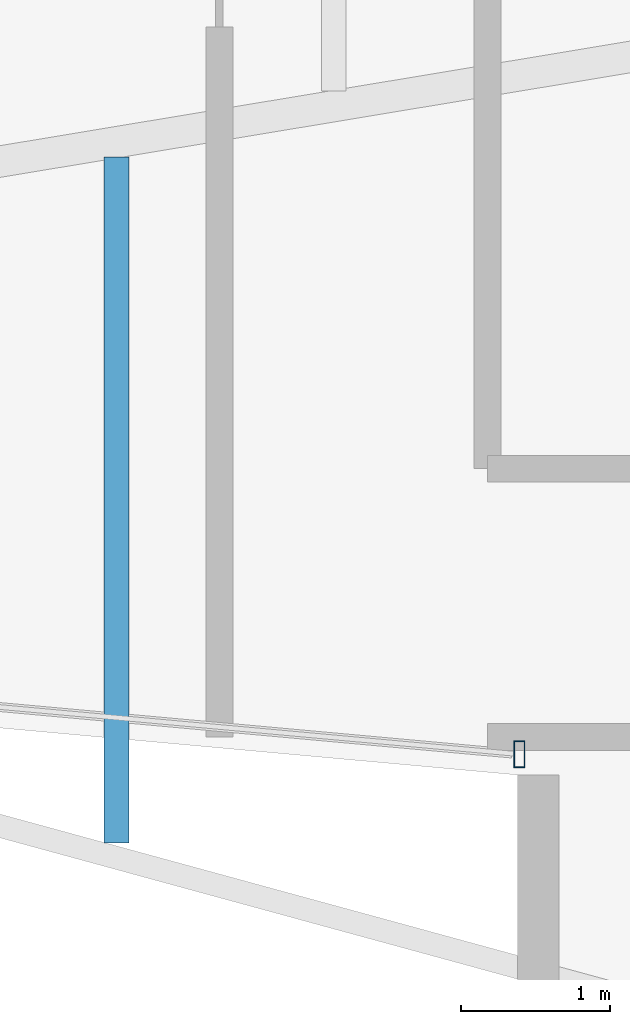
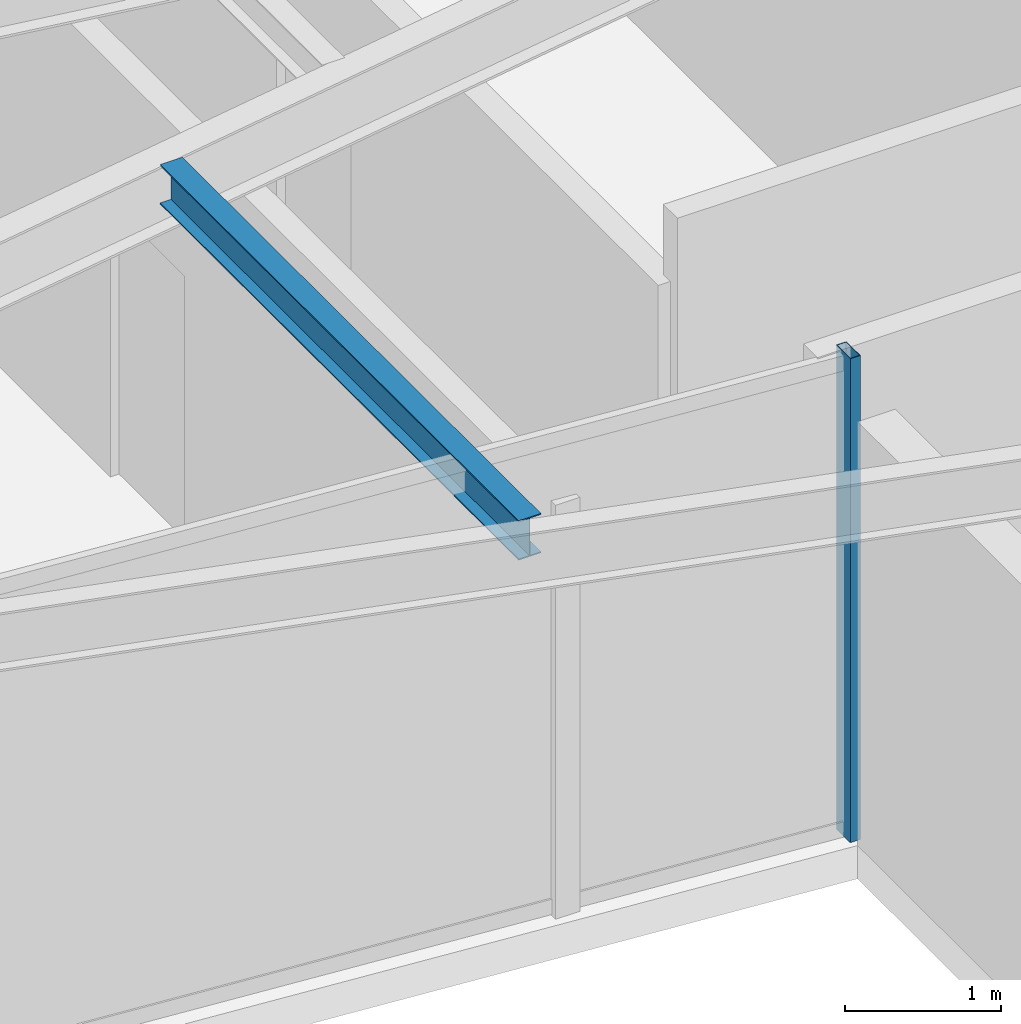
# One storey, part 4 of 23: 1 beam, 1 member, 1 element without a shape of its own.
"""IFC4 building model written with IfcOpenShell, lengths in metres."""

import ifcopenshell
import ifcopenshell.guid

model = None  # the IFC model being written
_history = None  # IfcOwnerHistory: only IFC2X3 demands one
_inside = {}  # id of a spatial element -> (the spatial element, [elements in it])
_under = {}  # id of a project, library or spatial element -> (it, [spatial elements below it])
_declared = {}  # id of a project -> (the project, [libraries it declares])
_typed = {}  # id of a type object -> (the type object, [elements of that type])
_made_of = {}  # id of a material, layer set ... -> (it, [elements and type objects made of it])


def new_model(schema):
    """Start an empty IFC model of exactly this schema.

    Asked for "IFC4X3", IfcOpenShell would pick the latest addendum, in which some entities
    have other attributes; the version numbers below select the first issue.
    IFC2X3 requires an IfcOwnerHistory on every rooted entity: one is made here for all.
    """
    global model, _history
    if schema == "IFC4X3":
        model = ifcopenshell.file(schema_version=(4, 3, 0, 0))
    else:
        model = ifcopenshell.file(schema=schema)
    _inside.clear()
    _under.clear()
    _declared.clear()
    _typed.clear()
    _made_of.clear()
    _history = None
    if model.schema == "IFC2X3":
        org = make("IfcOrganization", Name="unknown")
        user = make(
            "IfcPersonAndOrganization",
            ThePerson=make("IfcPerson", FamilyName="unknown"),
            TheOrganization=org,
        )
        app = make(
            "IfcApplication",
            ApplicationDeveloper=org,
            Version="unknown",
            ApplicationFullName="unknown",
            ApplicationIdentifier="unknown",
        )
        _history = make(
            "IfcOwnerHistory",
            OwningUser=user,
            OwningApplication=app,
            ChangeAction="ADDED",
            CreationDate=0,
        )
    return model


def make(cls, **values):
    """One entity of the class cls with the attributes given. An attribute that is None is left unset."""
    return model.create_entity(
        cls, **{name: value for name, value in values.items() if value is not None}
    )


def rooted(cls, **values):
    """An entity with a GlobalId (a new one), such as an element, a storey or a relation."""
    return make(cls, GlobalId=ifcopenshell.guid.new(), OwnerHistory=_history, **values)


def si_unit(unit_type, name, prefix=None):
    """IfcSIUnit, for example si_unit("LENGTHUNIT", "METRE", prefix="MILLI")."""
    return make("IfcSIUnit", UnitType=unit_type, Prefix=prefix, Name=name)


def assignment(units):
    """IfcUnitAssignment: the units of a project."""
    return None if units is None else make("IfcUnitAssignment", Units=units)


def point(xyz):
    """IfcCartesianPoint."""
    return None if xyz is None else make("IfcCartesianPoint", Coordinates=xyz)


def direction(xyz):
    """IfcDirection."""
    return None if xyz is None else make("IfcDirection", DirectionRatios=xyz)


def frame(location, z_axis=None, x_axis=None):
    """IfcAxis2Placement3D, a coordinate frame: its origin and axes. An axis left out is left unset."""
    return make(
        "IfcAxis2Placement3D",
        Location=point(location),
        Axis=direction(z_axis),
        RefDirection=direction(x_axis),
    )


def frame_2d(location, x_axis=None):
    """IfcAxis2Placement2D, a coordinate frame in the plane: its origin and x axis."""
    return make(
        "IfcAxis2Placement2D", Location=point(location), RefDirection=direction(x_axis)
    )


def origin():
    """The frame at (0, 0, 0) with its axes left unset."""
    return frame((0.0, 0.0, 0.0))


def origin_2d():
    """The frame at (0, 0) in the plane with its x axis left unset."""
    return frame_2d((0.0, 0.0))


def place(relative_to, where):
    """IfcLocalPlacement: puts the frame where relative to a parent placement (None: the world)."""
    return make(
        "IfcLocalPlacement", PlacementRelTo=relative_to, RelativePlacement=where
    )


def context(
    kind, dimensions, precision=None, world=None, true_north=None, identifier=None
):
    """IfcGeometricRepresentationContext, for example the 3D "Model" context."""
    return make(
        "IfcGeometricRepresentationContext",
        ContextIdentifier=identifier,
        ContextType=kind,
        CoordinateSpaceDimension=dimensions,
        Precision=precision,
        WorldCoordinateSystem=world,
        TrueNorth=true_north,
    )


def subcontext(parent, identifier, kind, view, scale=None):
    """IfcGeometricRepresentationSubContext, for example "Body" below "Model"."""
    return make(
        "IfcGeometricRepresentationSubContext",
        ContextIdentifier=identifier,
        ContextType=kind,
        ParentContext=parent,
        TargetScale=scale,
        TargetView=view,
    )


def project(units=None, contexts=None):
    """IfcProject with its units and contexts."""
    return rooted(
        "IfcProject",
        Name="project",
        RepresentationContexts=contexts,
        UnitsInContext=assignment(units),
    )


def spatial(cls, under=None, at=None, **own):
    """A site, building, storey or space (cls), placed at a placement, below another one or the project."""
    s = rooted(cls, ObjectPlacement=at, **own)
    if under is not None:
        _under.setdefault(under.id(), (under, []))[1].append(s)
    return s


def profile(cls, at=None, kind="AREA", **sizes):
    """A parametric profile (cls). Its sizes go by their IFC names, for example OverallWidth=200.0."""
    return make(cls, ProfileType=kind, Position=at, **sizes)


def hollow_rectangle(**sizes):
    """IfcRectangleHollowProfileDef."""
    return profile("IfcRectangleHollowProfileDef", **sizes)


def i_section(**sizes):
    """IfcIShapeProfileDef."""
    return profile("IfcIShapeProfileDef", **sizes)


def extrude(swept, where, along, depth):
    """IfcExtrudedAreaSolid: the profile swept, set in the frame where, extruded along a direction by depth."""
    return make(
        "IfcExtrudedAreaSolid",
        SweptArea=swept,
        Position=where,
        ExtrudedDirection=direction(along),
        Depth=depth,
    )


def shape(context_of_items, identifier, shape_type, items):
    """IfcShapeRepresentation: the items that make up one representation, for example the "Body"."""
    return make(
        "IfcShapeRepresentation",
        ContextOfItems=context_of_items,
        RepresentationIdentifier=identifier,
        RepresentationType=shape_type,
        Items=items,
    )


def material(Name=None, Category=None):
    """IfcMaterial."""
    return make("IfcMaterial", Name=Name, Category=Category)


def layer(
    of_material, thickness, ventilated=None, Name=None, Category=None, Priority=None
):
    """IfcMaterialLayer: one layer of a wall or slab, of a material (None: an air gap)."""
    return make(
        "IfcMaterialLayer",
        Material=of_material,
        LayerThickness=thickness,
        IsVentilated=ventilated,
        Name=Name,
        Category=Category,
        Priority=Priority,
    )


def layer_set(layers, Name=None):
    """IfcMaterialLayerSet."""
    return make("IfcMaterialLayerSet", MaterialLayers=layers, LayerSetName=Name)


def material_profile(
    of_material, cross_section, Name=None, Category=None, Priority=None
):
    """IfcMaterialProfile: a cross section and its material."""
    return make(
        "IfcMaterialProfile",
        Name=Name,
        Material=of_material,
        Profile=cross_section,
        Priority=Priority,
        Category=Category,
    )


def profile_set(profiles, Name=None, composite=None):
    """IfcMaterialProfileSet."""
    return make(
        "IfcMaterialProfileSet",
        Name=Name,
        MaterialProfiles=profiles,
        CompositeProfile=composite,
    )


def made_of(thing, what):
    """Note that an element or type object is made of a material, layer set ...; save() writes the relation."""
    if what is not None:
        _made_of.setdefault(what.id(), (what, []))[1].append(thing)
    return thing


def type_object(cls, material=None, **own):
    """A type object (cls), such as IfcWallType, which elements share."""
    return made_of(rooted(cls, **own), material)


def element(
    cls,
    number,
    at=None,
    inside=None,
    cuts=None,
    type_object=None,
    material=None,
    context=None,
    identifier="Body",
    shape_type=None,
    held_by="IfcProductDefinitionShape",
    body=None,
    shapes=None,
    **own,
):
    """One element of the class cls, such as IfcWall. Its Tag is "e" and its number.

    at: its placement. inside: the storey or other place that contains it. cuts: it is an
    opening in that element (IfcRelVoidsElement). A single representation is given by context,
    identifier, shape_type and body (its items); several are given by shapes. held_by: the class
    of the entity that holds the representations. save() writes the other relations.
    """
    e = rooted(cls, Tag="e%d" % number, ObjectPlacement=at, **own)
    if body is not None:
        shapes = [shape(context, identifier, shape_type, body)]
    if shapes is not None:
        e.Representation = make(held_by, Representations=shapes)
    if inside is not None:
        _inside.setdefault(inside.id(), (inside, []))[1].append(e)
    if cuts is not None:
        rooted(
            "IfcRelVoidsElement", RelatingBuildingElement=cuts, RelatedOpeningElement=e
        )
    if type_object is not None:
        _typed.setdefault(type_object.id(), (type_object, []))[1].append(e)
    return made_of(e, material)


def aggregate(whole, parts):
    """IfcRelAggregates: a whole, such as a stair, and the parts it consists of."""
    return rooted("IfcRelAggregates", RelatingObject=whole, RelatedObjects=parts)


def save(model, path):
    """Write the relations noted so far, then the file.

    IfcRelAggregates (storeys below a building ...), IfcRelContainedInSpatialStructure (elements
    in a storey), IfcRelDefinesByType, IfcRelAssociatesMaterial and IfcRelDeclares: one each for
    every whole, place, type object, material and project.
    """
    for whole, parts in _under.values():
        aggregate(whole, parts)
    for where, things in _inside.values():
        rooted(
            "IfcRelContainedInSpatialStructure",
            RelatedElements=things,
            RelatingStructure=where,
        )
    for kind, things in _typed.values():
        rooted("IfcRelDefinesByType", RelatedObjects=things, RelatingType=kind)
    for what, things in _made_of.values():
        rooted("IfcRelAssociatesMaterial", RelatedObjects=things, RelatingMaterial=what)
    for by, libraries in _declared.values():
        rooted("IfcRelDeclares", RelatingContext=by, RelatedDefinitions=libraries)
    model.write(path)


model = new_model("IFC4")

# Units and contexts
model_context = context("Model", 3, precision=1e-05, world=origin(), true_north=direction((0.0, 1.0)))
body_context = subcontext(model_context, "Body", "Model", "MODEL_VIEW")
ifc_project = project(units=[si_unit("LENGTHUNIT", "METRE"), si_unit("AREAUNIT", "SQUARE_METRE"), si_unit("VOLUMEUNIT", "CUBIC_METRE"), si_unit("PLANEANGLEUNIT", "RADIAN"), si_unit("MASSUNIT", "GRAM", prefix="KILO")], contexts=[model_context])

# Site, building, storey
site_placement = place(None, origin())
site = spatial("IfcSite", under=ifc_project, at=site_placement, CompositionType="ELEMENT")
building_placement = place(site_placement, origin())
building = spatial("IfcBuilding", under=site, at=building_placement, Name="Veymaron Broadcast Tower", CompositionType="ELEMENT")
storey_placement = place(building_placement, frame((0.0, 0.0, 195.89990234375)))
storey = spatial("IfcBuildingStorey", under=building, at=storey_placement, Name="L45", CompositionType="ELEMENT", Elevation=195.89990234375)

# Beam
ifc_material_1 = material(Name="Structural steel ASTM A992 Gr 50", Category="steel")
ifc_material_profile_1 = material_profile(ifc_material_1, i_section(OverallWidth=0.1650390625, OverallDepth=0.31005859375, WebThickness=0.005859375, FlangeThickness=0.009765625, at=origin_2d()), Name="W310X39")
ifc_profile_set_1 = profile_set([ifc_material_profile_1], Name="Structural steel ASTM A992 Gr 50")
beam_type = type_object("IfcBeamType", Name="BM-JS3", PredefinedType="JOIST", material=ifc_profile_set_1)
beam_placement = place(storey_placement, frame((23.909912109375, 18.090087890625, 3.635009765625), z_axis=(0.0, 1.0, 0.0), x_axis=(-1.0, 0.0, 0.0)))
element("IfcBeam", 1, at=beam_placement, inside=storey, type_object=beam_type, Name="L45 Arm-A secondary joist 2S", PredefinedType="JOIST", context=body_context, shape_type="SweptSolid", body=[
    extrude(i_section(OverallWidth=0.1650390625, OverallDepth=0.31005859375, WebThickness=0.005859375, FlangeThickness=0.009765625, at=origin_2d()), origin(), (0.0, 0.0, 1.0), 4.599853515625),
])

# Curtain wall, member
ifc_material_2 = material(Name="Anodised aluminium AA 6063-T6 and laminated low-E dark glass", Category="aluminium")
ifc_layer = layer(ifc_material_2, 0.179931640625)
ifc_layer_set = layer_set([ifc_layer], Name="Anodised aluminium AA 6063-T6 and laminated low-E dark glass")
curtain_wall_type = type_object("IfcCurtainWallType", Name="CW-SYS-05", PredefinedType="NOTDEFINED", material=ifc_layer_set)
curtain_wall_placement = place(storey_placement, origin())
curtain_wall = element("IfcCurtainWall", 2, at=curtain_wall_placement, inside=storey, type_object=curtain_wall_type, Name="L45 dark-glass curtain wall CW-L45-E14-1", PredefinedType="NOTDEFINED")
ifc_material_3 = material(Name="Anodised aluminium AA 6063-T6", Category="aluminium")
ifc_material_profile_2 = material_profile(ifc_material_3, hollow_rectangle(XDim=0.074951171875, YDim=0.179931640625, WallThickness=0.0048828125, at=origin_2d()), Name="AL180X75X5")
ifc_profile_set_2 = profile_set([ifc_material_profile_2], Name="Anodised aluminium AA 6063-T6")
member_type = type_object("IfcMemberType", Name="CW-MUL-02", PredefinedType="MULLION", material=ifc_profile_set_2)
member_placement = place(storey_placement, frame((26.61279296875, 18.684814453125, 0.0), z_axis=(0.0, 0.0, 1.0), x_axis=(1.0, 0.0, 0.0)))
member = element("IfcMember", 3, at=member_placement, type_object=member_type, Name="CW-L45-E14-1 mullion 2", PredefinedType="MULLION", context=body_context, shape_type="SweptSolid", body=[
    extrude(hollow_rectangle(XDim=0.074951171875, YDim=0.179931640625, WallThickness=0.0048828125, at=origin_2d()), origin(), (0.0, 0.0, 1.0), 3.7900390625),
])
aggregate(curtain_wall, [member])

save(model, "model.ifc")
